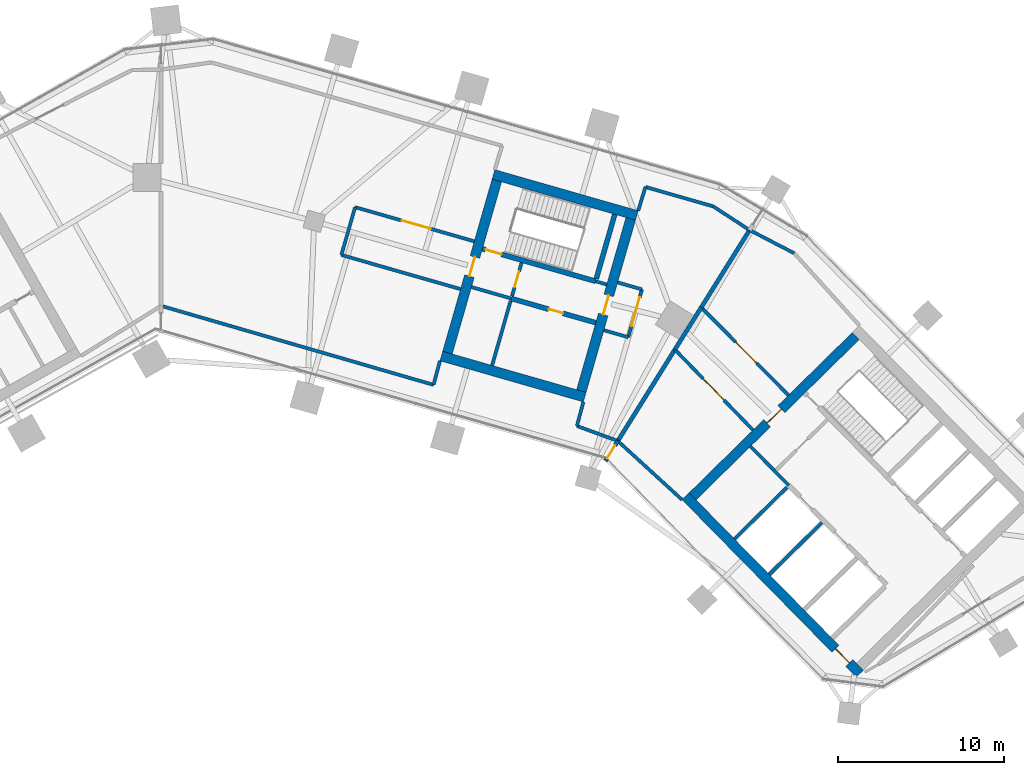
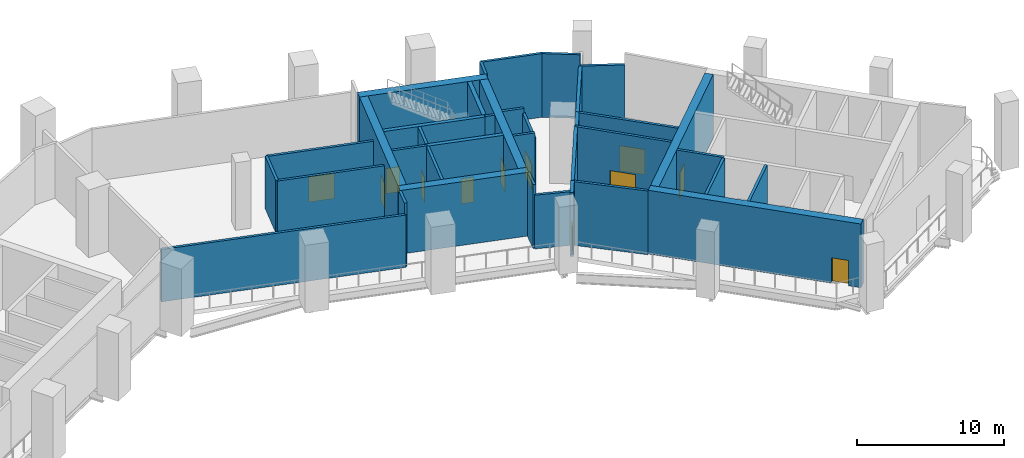
# One storey, part 6 of 11: 37 walls, 12 doors, 12 openings.
"""IFC4 building model written with IfcOpenShell, lengths in metres."""

from ifc_helpers import new_model, si_unit, direction, frame, frame_2d, origin, place, context, subcontext, project, spatial, rectangle, extrude, material, layer, layer_set, type_object, element, fill, save


model = new_model("IFC4")

# Units and contexts
model_context = context("Model", 3, precision=1e-05, world=origin(), true_north=direction((0.0, 1.0)))
body_context = subcontext(model_context, "Body", "Model", "MODEL_VIEW")
ifc_project = project(units=[si_unit("LENGTHUNIT", "METRE"), si_unit("AREAUNIT", "SQUARE_METRE"), si_unit("VOLUMEUNIT", "CUBIC_METRE"), si_unit("PLANEANGLEUNIT", "RADIAN"), si_unit("MASSUNIT", "GRAM", prefix="KILO")], contexts=[model_context])

# Site, building, storey
site_placement = place(None, origin())
site = spatial("IfcSite", under=ifc_project, at=site_placement, CompositionType="ELEMENT")
building_placement = place(site_placement, origin())
building = spatial("IfcBuilding", under=site, at=building_placement, Name="Binnacle Exchange Tower", CompositionType="ELEMENT")
storey_placement = place(building_placement, frame((0.0, 0.0, 91.5)))
storey = spatial("IfcBuildingStorey", under=building, at=storey_placement, Name="L18", CompositionType="ELEMENT", Elevation=91.5)

# Wall, opening, door
ifc_material_1 = material(Name="Concrete C70/85", Category="concrete")
ifc_layer_1 = layer(ifc_material_1, 0.300048828125)
ifc_layer_set_1 = layer_set([ifc_layer_1], Name="Core wall - front 300")
wall_type_1 = type_object("IfcWallType", Name="Core wall - front 300", PredefinedType="SOLIDWALL", material=ifc_layer_set_1)
wall_1_placement = place(storey_placement, frame((21.130859375, 52.6923828125, 0.0), z_axis=(0.0, 0.0, 1.0), x_axis=(0.961271492568, -0.275603188616, 0.0)))
wall_1 = element("IfcWall", 1, at=wall_1_placement, inside=storey, type_object=wall_type_1, Name="Core wall CRWD3", PredefinedType="SOLIDWALL", context=body_context, shape_type="SweptSolid", body=[
    extrude(rectangle(XDim=5.300048828125, YDim=0.300048828125, at=frame_2d((2.64990234375, 0.0))), origin(), (0.0, 0.0, 1.0), 5.280029296875),
])
opening_1_placement = place(wall_1_placement, frame((2.35009765625, 0.0, 0.0)))
opening_1 = element("IfcOpeningElement", 2, at=opening_1_placement, cuts=wall_1, Name="Opening DD10", PredefinedType="OPENING", context=body_context, shape_type="SweptSolid", body=[
    extrude(rectangle(XDim=0.89990234375, YDim=2.10009765625, at=frame_2d((0.449951171875, 1.050048828125))), frame((0.0, 0.159912109375, 0.0), z_axis=(0.0, -1.0, 0.0), x_axis=(1.0, 0.0, 0.0)), (0.0, 0.0, 1.0), 0.320068359375),
])
ifc_material_2 = material(Name="Steel door leaf", Category="steel")
door_type_1 = type_object("IfcDoorType", Name="Fire door 900", OperationType="NOTDEFINED", PredefinedType="DOOR", material=ifc_material_2)
door_1_placement = place(opening_1_placement, frame((0.89990234375, 0.0, 0.0), z_axis=(0.0, 0.0, 1.0), x_axis=(-1.0, 0.0, 0.0)))
door_1 = element("IfcDoor", 3, at=door_1_placement, inside=storey, type_object=door_type_1, Name="Core room door TELECOM RISER ROOM", OperationType="SINGLE_SWING_LEFT", OverallHeight=2.10009765625, OverallWidth=0.89990234375, PredefinedType="DOOR", context=body_context, shape_type="SweptSolid", body=[
    extrude(rectangle(XDim=0.89990234375, YDim=2.10009765625, at=frame_2d((0.449951171875, 1.050048828125))), frame((0.0, 0.02490234375, 0.0), z_axis=(0.0, -1.0, 0.0), x_axis=(1.0, 0.0, 0.0)), (0.0, 0.0, 1.0), 0.050048828125),
])
fill(opening_1, door_1)

ifc_layer_2 = layer(ifc_material_1, 0.60009765625)
ifc_layer_set_2 = layer_set([ifc_layer_2], Name="Core wall - outer 600")
wall_type_2 = type_object("IfcWallType", Name="Core wall - outer 600", PredefinedType="SOLIDWALL", material=ifc_layer_set_2)
wall_2_placement = place(storey_placement, frame((31.6455078125, 40.7626953125, 0.0), z_axis=(0.0, 0.0, 1.0), x_axis=(0.700911255944, -0.713248491965, 0.0)))
wall_2 = element("IfcWall", 4, at=wall_2_placement, inside=storey, type_object=wall_type_2, Name="Core wall CRWB1", PredefinedType="SOLIDWALL", context=body_context, shape_type="SweptSolid", body=[
    extrude(rectangle(XDim=15.0, YDim=0.60009765625, at=frame_2d((7.5, 0.0))), origin(), (0.0, 0.0, 1.0), 5.280029296875),
])
opening_2_placement = place(wall_2_placement, frame((12.89990234375, 0.0, 0.0)))
opening_2 = element("IfcOpeningElement", 5, at=opening_2_placement, cuts=wall_2, Name="Opening DB7", PredefinedType="OPENING", context=body_context, shape_type="SweptSolid", body=[
    extrude(rectangle(XDim=1.199951171875, YDim=2.10009765625, at=frame_2d((0.60009765625, 1.050048828125))), frame((0.0, 0.31005859375, 0.0), z_axis=(0.0, -1.0, 0.0), x_axis=(1.0, 0.0, 0.0)), (0.0, 0.0, 1.0), 0.6201171875),
])
door_type_2 = type_object("IfcDoorType", Name="Fire door 1200", OperationType="NOTDEFINED", PredefinedType="DOOR", material=ifc_material_2)
door_2_placement = place(opening_2_placement, frame((1.199951171875, 0.0, 0.0), z_axis=(0.0, 0.0, 1.0), x_axis=(-1.0, 0.0, 0.0)))
door_2 = element("IfcDoor", 6, at=door_2_placement, inside=storey, type_object=door_type_2, Name="Lift lobby entrance door core B", OperationType="SINGLE_SWING_LEFT", OverallHeight=2.10009765625, OverallWidth=1.199951171875, PredefinedType="DOOR", context=body_context, shape_type="SweptSolid", body=[
    extrude(rectangle(XDim=1.199951171875, YDim=2.10009765625, at=frame_2d((0.60009765625, 1.050048828125))), frame((0.0, 0.02490234375, 0.0), z_axis=(0.0, -1.0, 0.0), x_axis=(1.0, 0.0, 0.0)), (0.0, 0.0, 1.0), 0.050048828125),
])
fill(opening_2, door_2)

wall_3_placement = place(storey_placement, frame((32.06982421875, 40.759033203125, 0.0), z_axis=(0.0, 0.0, 1.0), x_axis=(0.713245344712, 0.70091445858, 0.0)))
wall_3 = element("IfcWall", 7, at=wall_3_placement, inside=storey, type_object=wall_type_2, Name="Core wall CRWB7", PredefinedType="SOLIDWALL", context=body_context, shape_type="SweptSolid", body=[
    extrude(rectangle(XDim=13.800048828125, YDim=0.60009765625, at=frame_2d((6.89990234375, 0.0))), origin(), (0.0, 0.0, 1.0), 5.280029296875),
])
opening_3_placement = place(wall_3_placement, frame((6.300048828125, 0.0, 0.0)))
opening_3 = element("IfcOpeningElement", 8, at=opening_3_placement, cuts=wall_3, Name="Opening DB5", PredefinedType="OPENING", context=body_context, shape_type="SweptSolid", body=[
    extrude(rectangle(XDim=1.199951171875, YDim=2.10009765625, at=frame_2d((0.60009765625, 1.050048828125))), frame((0.0, 0.31005859375, 0.0), z_axis=(0.0, -1.0, 0.0), x_axis=(1.0, 0.0, 0.0)), (0.0, 0.0, 1.0), 0.6201171875),
])
door_3_placement = place(opening_3_placement, origin())
door_3 = element("IfcDoor", 9, at=door_3_placement, inside=storey, type_object=door_type_2, Name="Vestibule exit door VEST-W", OperationType="SINGLE_SWING_RIGHT", OverallHeight=2.10009765625, OverallWidth=1.199951171875, PredefinedType="DOOR", context=body_context, shape_type="SweptSolid", body=[
    extrude(rectangle(XDim=1.199951171875, YDim=2.10009765625, at=frame_2d((0.60009765625, 1.050048828125))), frame((0.0, 0.02490234375, 0.0), z_axis=(0.0, -1.0, 0.0), x_axis=(1.0, 0.0, 0.0)), (0.0, 0.0, 1.0), 0.050048828125),
])
fill(opening_3, door_3)

# Walls
for number, where, z_axis, x_axis, name in (
    (10, (16.91064453125, 49.22119140625, 0.0), (0.0, 0.0, 1.0), (0.96126248289, -0.275634611374, 0.0), "Core wall CRWD1"),
    (11, (20.052734375, 60.1796875, 0.0), (0.0, 0.0, 1.0), (0.96126248289, -0.275634611374, 0.0), "Core wall CRWD6"),
):
    element("IfcWall", number, at=place(storey_placement, frame(where, z_axis=z_axis, x_axis=x_axis)), inside=storey, type_object=wall_type_2, Name=name, PredefinedType="SOLIDWALL", context=body_context, shape_type="SweptSolid", body=[
        extrude(rectangle(XDim=9.0, YDim=0.60009765625, at=frame_2d((4.5, 0.0))), origin(), (0.0, 0.0, 1.0), 5.280029296875),
    ])

# Wall, opening, door
wall_4_placement = place(storey_placement, frame((17.28173828125, 49.427001953125, 0.0), z_axis=(0.0, 0.0, 1.0), x_axis=(0.275631631629, 0.961263337304, 0.0)))
wall_4 = element("IfcWall", 12, at=wall_4_placement, inside=storey, type_object=wall_type_2, Name="Core wall CRWD7", PredefinedType="SOLIDWALL", context=body_context, shape_type="SweptSolid", body=[
    extrude(rectangle(XDim=10.800048828125, YDim=0.60009765625, at=frame_2d((5.39990234375, 0.0))), origin(), (0.0, 0.0, 1.0), 5.280029296875),
])
opening_4_placement = place(wall_4_placement, frame((4.800048828125, 0.0, 0.0)))
opening_4 = element("IfcOpeningElement", 13, at=opening_4_placement, cuts=wall_4, Name="Opening DD5", PredefinedType="OPENING", context=body_context, shape_type="SweptSolid", body=[
    extrude(rectangle(XDim=1.199951171875, YDim=2.10009765625, at=frame_2d((0.60009765625, 1.050048828125))), frame((0.0, 0.31005859375, 0.0), z_axis=(0.0, -1.0, 0.0), x_axis=(1.0, 0.0, 0.0)), (0.0, 0.0, 1.0), 0.6201171875),
])
door_4_placement = place(opening_4_placement, origin())
door_4 = element("IfcDoor", 14, at=door_4_placement, inside=storey, type_object=door_type_2, Name="Vestibule exit door VEST-W", OperationType="SINGLE_SWING_RIGHT", OverallHeight=2.10009765625, OverallWidth=1.199951171875, PredefinedType="DOOR", context=body_context, shape_type="SweptSolid", body=[
    extrude(rectangle(XDim=1.199951171875, YDim=2.10009765625, at=frame_2d((0.60009765625, 1.050048828125))), frame((0.0, 0.02490234375, 0.0), z_axis=(0.0, -1.0, 0.0), x_axis=(1.0, 0.0, 0.0)), (0.0, 0.0, 1.0), 0.050048828125),
])
fill(opening_4, door_4)

wall_5_placement = place(storey_placement, frame((25.356201171875, 47.111572265625, 0.0), z_axis=(0.0, 0.0, 1.0), x_axis=(0.275631631629, 0.961263337304, 0.0)))
wall_5 = element("IfcWall", 15, at=wall_5_placement, inside=storey, type_object=wall_type_2, Name="Core wall CRWD12", PredefinedType="SOLIDWALL", context=body_context, shape_type="SweptSolid", body=[
    extrude(rectangle(XDim=10.800048828125, YDim=0.60009765625, at=frame_2d((5.39990234375, 0.0))), origin(), (0.0, 0.0, 1.0), 5.280029296875),
])
opening_5_placement = place(wall_5_placement, frame((4.800048828125, 0.0, 0.0)))
opening_5 = element("IfcOpeningElement", 16, at=opening_5_placement, cuts=wall_5, Name="Opening DD6", PredefinedType="OPENING", context=body_context, shape_type="SweptSolid", body=[
    extrude(rectangle(XDim=1.199951171875, YDim=2.10009765625, at=frame_2d((0.60009765625, 1.050048828125))), frame((0.0, 0.31005859375, 0.0), z_axis=(0.0, -1.0, 0.0), x_axis=(1.0, 0.0, 0.0)), (0.0, 0.0, 1.0), 0.6201171875),
])
door_5_placement = place(opening_5_placement, frame((1.199951171875, 0.0, 0.0), z_axis=(0.0, 0.0, 1.0), x_axis=(-1.0, 0.0, 0.0)))
door_5 = element("IfcDoor", 17, at=door_5_placement, inside=storey, type_object=door_type_2, Name="Core passage exit door", OperationType="SINGLE_SWING_LEFT", OverallHeight=2.10009765625, OverallWidth=1.199951171875, PredefinedType="DOOR", context=body_context, shape_type="SweptSolid", body=[
    extrude(rectangle(XDim=1.199951171875, YDim=2.10009765625, at=frame_2d((0.60009765625, 1.050048828125))), frame((0.0, 0.02490234375, 0.0), z_axis=(0.0, -1.0, 0.0), x_axis=(1.0, 0.0, 0.0)), (0.0, 0.0, 1.0), 0.050048828125),
])
fill(opening_5, door_5)

ifc_layer_3 = layer(ifc_material_1, 0.300048828125)
ifc_layer_set_3 = layer_set([ifc_layer_3], Name="Core wall - stair 300")
wall_type_3 = type_object("IfcWallType", Name="Core wall - stair 300", PredefinedType="SOLIDWALL", material=ifc_layer_set_3)
wall_6_placement = place(storey_placement, frame((19.38916015625, 55.688720703125, 0.0), z_axis=(0.0, 0.0, 1.0), x_axis=(0.961261397636, -0.275638396117, 0.0)))
wall_6 = element("IfcWall", 18, at=wall_6_placement, inside=storey, type_object=wall_type_3, Name="Core wall CRWD4", PredefinedType="SOLIDWALL", context=body_context, shape_type="SweptSolid", body=[
    extrude(rectangle(XDim=7.10009765625, YDim=0.300048828125, at=frame_2d((3.550048828125, 0.0))), origin(), (0.0, 0.0, 1.0), 5.280029296875),
])
opening_6_placement = place(wall_6_placement, frame((0.199951171875, 0.0, 0.0)))
opening_6 = element("IfcOpeningElement", 19, at=opening_6_placement, cuts=wall_6, Name="Opening DD1", PredefinedType="OPENING", context=body_context, shape_type="SweptSolid", body=[
    extrude(rectangle(XDim=1.0, YDim=2.10009765625, at=frame_2d((0.5, 1.050048828125))), frame((0.0, 0.159912109375, 0.0), z_axis=(0.0, -1.0, 0.0), x_axis=(1.0, 0.0, 0.0)), (0.0, 0.0, 1.0), 0.320068359375),
])
door_type_3 = type_object("IfcDoorType", Name="Fire door 1000", OperationType="NOTDEFINED", PredefinedType="DOOR", material=ifc_material_2)
door_6_placement = place(opening_6_placement, origin())
door_6 = element("IfcDoor", 20, at=door_6_placement, inside=storey, type_object=door_type_3, Name="Stair door ST-D1", OperationType="SINGLE_SWING_LEFT", OverallHeight=2.10009765625, OverallWidth=1.0, PredefinedType="DOOR", context=body_context, shape_type="SweptSolid", body=[
    extrude(rectangle(XDim=1.0, YDim=2.10009765625, at=frame_2d((0.5, 1.050048828125))), frame((0.0, 0.02490234375, 0.0), z_axis=(0.0, -1.0, 0.0), x_axis=(1.0, 0.0, 0.0)), (0.0, 0.0, 1.0), 0.050048828125),
])
fill(opening_6, door_6)

# Walls
wall_7_placement = place(storey_placement, frame((26.255615234375, 53.875732421875, 0.0), z_axis=(0.0, 0.0, 1.0), x_axis=(0.275612739511, 0.961268754209, 0.0)))
element("IfcWall", 21, at=wall_7_placement, inside=storey, type_object=wall_type_3, Name="Core wall CRWD11", PredefinedType="SOLIDWALL", context=body_context, shape_type="SweptSolid", body=[
    extrude(rectangle(XDim=4.0498046875, YDim=0.300048828125, at=frame_2d((2.02490234375, 0.0))), origin(), (0.0, 0.0, 1.0), 5.280029296875),
])
ifc_material_3 = material(Name="Masonry block wall", Category="masonry")
ifc_layer_4 = layer(ifc_material_3, 0.199951171875)
ifc_layer_set_4 = layer_set([ifc_layer_4], Name="Fire wall - block 200")
wall_type_4 = type_object("IfcWallType", Name="Fire wall - block 200", PredefinedType="PARTITIONING", material=ifc_layer_set_4)
wall_8_placement = place(storey_placement, frame((0.0, 52.25, 0.0), z_axis=(0.0, 0.0, 1.0), x_axis=(0.960438830998, -0.278491026628, 0.0)))
element("IfcWall", 22, at=wall_8_placement, inside=storey, type_object=wall_type_4, Name="Partition W25", PredefinedType="PARTITIONING", context=body_context, shape_type="SweptSolid", body=[
    extrude(rectangle(XDim=17.114013671875, YDim=0.199951171875, at=frame_2d((8.55712890625, 0.0))), origin(), (0.0, 0.0, 1.0), 4.342041015625),
])
wall_9_placement = place(storey_placement, frame((10.881103515625, 55.319091796875, 0.0), z_axis=(0.0, 0.0, 1.0), x_axis=(0.275634611374, 0.96126248289, 0.0)))
element("IfcWall", 23, at=wall_9_placement, inside=storey, type_object=wall_type_4, Name="Partition W30", PredefinedType="PARTITIONING", context=body_context, shape_type="SweptSolid", body=[
    extrude(rectangle(XDim=3.0, YDim=0.199951171875, at=frame_2d((1.5, 0.0))), origin(), (0.0, 0.0, 1.0), 4.342041015625),
])
wall_10_placement = place(storey_placement, frame((10.881103515625, 55.319091796875, 0.0), z_axis=(0.0, 0.0, 1.0), x_axis=(0.96128947032, -0.275540476614, 0.0)))
element("IfcWall", 24, at=wall_10_placement, inside=storey, type_object=wall_type_4, Name="Partition W31", PredefinedType="PARTITIONING", context=body_context, shape_type="SweptSolid", body=[
    extrude(rectangle(XDim=7.476318359375, YDim=0.199951171875, at=frame_2d((3.73828125, 0.0))), origin(), (0.0, 0.0, 1.0), 4.342041015625),
])

# Wall, opening, door
wall_11_placement = place(storey_placement, frame((11.7080078125, 58.202880859375, 0.0), z_axis=(0.0, 0.0, 1.0), x_axis=(0.961263518588, -0.275630999402, 0.0)))
wall_11 = element("IfcWall", 25, at=wall_11_placement, inside=storey, type_object=wall_type_4, Name="Partition W32", PredefinedType="PARTITIONING", context=body_context, shape_type="SweptSolid", body=[
    extrude(rectangle(XDim=7.4765625, YDim=0.199951171875, at=frame_2d((3.73828125, 0.0))), origin(), (0.0, 0.0, 1.0), 4.342041015625),
])
opening_7_placement = place(wall_11_placement, frame((2.949951171875, 0.0, 0.0)))
opening_7 = element("IfcOpeningElement", 26, at=opening_7_placement, cuts=wall_11, Name="Opening DL18-08", PredefinedType="OPENING", context=body_context, shape_type="SweptSolid", body=[
    extrude(rectangle(XDim=1.800048828125, YDim=2.10009765625, at=frame_2d((0.89990234375, 1.050048828125))), frame((0.0, 0.10986328125, 0.0), z_axis=(0.0, -1.0, 0.0), x_axis=(1.0, 0.0, 0.0)), (0.0, 0.0, 1.0), 0.219970703125),
])
door_type_4 = type_object("IfcDoorType", Name="Fire door 1800", OperationType="NOTDEFINED", PredefinedType="DOOR", material=ifc_material_2)
door_7_placement = place(opening_7_placement, origin())
door_7 = element("IfcDoor", 27, at=door_7_placement, inside=storey, type_object=door_type_4, Name="Door DL18-08", OperationType="DOUBLE_DOOR_SINGLE_SWING", OverallHeight=2.10009765625, OverallWidth=1.800048828125, PredefinedType="DOOR", context=body_context, shape_type="SweptSolid", body=[
    extrude(rectangle(XDim=1.800048828125, YDim=2.10009765625, at=frame_2d((0.89990234375, 1.050048828125))), frame((0.0, 0.02490234375, 0.0), z_axis=(0.0, -1.0, 0.0), x_axis=(1.0, 0.0, 0.0)), (0.0, 0.0, 1.0), 0.050048828125),
])
fill(opening_7, door_7)

# Walls
wall_12_placement = place(storey_placement, frame((16.43701171875, 47.48388671875, 0.0), z_axis=(0.0, 0.0, 1.0), x_axis=(0.260405090968, 0.965499450335, 0.0)))
element("IfcWall", 28, at=wall_12_placement, inside=storey, type_object=wall_type_4, Name="Partition W33", PredefinedType="PARTITIONING", context=body_context, shape_type="SweptSolid", body=[
    extrude(rectangle(XDim=1.5009765625, YDim=0.199951171875, at=frame_2d((0.75048828125, 0.0))), origin(), (0.0, 0.0, 1.0), 5.280029296875),
])
wall_13_placement = place(storey_placement, frame((25.087890625, 45.00390625, 0.0), z_axis=(0.0, 0.0, 1.0), x_axis=(0.260761429939, 0.965403271517, 0.0)))
element("IfcWall", 29, at=wall_13_placement, inside=storey, type_object=wall_type_4, Name="Partition W35", PredefinedType="PARTITIONING", context=body_context, shape_type="SweptSolid", body=[
    extrude(rectangle(XDim=1.5, YDim=0.199951171875, at=frame_2d((0.75, 0.0))), origin(), (0.0, 0.0, 1.0), 5.280029296875),
])
wall_14_placement = place(storey_placement, frame((25.087890625, 45.00390625, 0.0), z_axis=(0.0, 0.0, 1.0), x_axis=(0.93889532653, -0.344202797519, 0.0)))
element("IfcWall", 30, at=wall_14_placement, inside=storey, type_object=wall_type_4, Name="Partition W36", PredefinedType="PARTITIONING", context=body_context, shape_type="SweptSolid", body=[
    extrude(rectangle(XDim=2.628662109375, YDim=0.199951171875, at=frame_2d((1.314453125, 0.0))), origin(), (0.0, 0.0, 1.0), 4.451904296875),
])
wall_15_placement = place(storey_placement, frame((26.719970703125, 50.778076171875, 0.0), z_axis=(0.0, 0.0, 1.0), x_axis=(0.961202731862, -0.275842905041, 0.0)))
element("IfcWall", 31, at=wall_15_placement, inside=storey, type_object=wall_type_4, Name="Partition W37", PredefinedType="PARTITIONING", context=body_context, shape_type="SweptSolid", body=[
    extrude(rectangle(XDim=1.523193359375, YDim=0.199951171875, at=frame_2d((0.76171875, 0.0))), origin(), (0.0, 0.0, 1.0), 5.280029296875),
])
wall_16_placement = place(storey_placement, frame((27.547119140625, 53.662109375, 0.0), z_axis=(0.0, 0.0, 1.0), x_axis=(0.961190533403, -0.27588540827, 0.0)))
element("IfcWall", 32, at=wall_16_placement, inside=storey, type_object=wall_type_4, Name="Partition W39", PredefinedType="PARTITIONING", context=body_context, shape_type="SweptSolid", body=[
    extrude(rectangle(XDim=1.52294921875, YDim=0.199951171875, at=frame_2d((0.761474609375, 0.0))), origin(), (0.0, 0.0, 1.0), 5.280029296875),
])
wall_17_placement = place(storey_placement, frame((27.555908203125, 44.09912109375, 0.0), z_axis=(0.0, 0.0, 1.0), x_axis=(0.737709390417, -0.675118400942, 0.0)))
element("IfcWall", 33, at=wall_17_placement, inside=storey, type_object=wall_type_4, Name="Partition W41", PredefinedType="PARTITIONING", context=body_context, shape_type="SweptSolid", body=[
    extrude(rectangle(XDim=5.254150390625, YDim=0.199951171875, at=frame_2d((2.626953125, 0.0))), origin(), (0.0, 0.0, 1.0), 5.280029296875),
])

# Wall, opening, door
wall_18_placement = place(storey_placement, frame((28.18408203125, 50.35791015625, 0.0), z_axis=(0.0, 0.0, 1.0), x_axis=(0.27561305073, 0.961268664977, 0.0)))
wall_18 = element("IfcWall", 34, at=wall_18_placement, inside=storey, type_object=wall_type_4, Name="Partition W42", PredefinedType="PARTITIONING", context=body_context, shape_type="SweptSolid", body=[
    extrude(rectangle(XDim=3.000244140625, YDim=0.199951171875, at=frame_2d((1.5, 0.0))), origin(), (0.0, 0.0, 1.0), 4.860107421875),
])
opening_8_placement = place(wall_18_placement, frame((0.699951171875, 0.0, 0.0)))
opening_8 = element("IfcOpeningElement", 35, at=opening_8_placement, cuts=wall_18, Name="Opening DL18-09", PredefinedType="OPENING", context=body_context, shape_type="SweptSolid", body=[
    extrude(rectangle(XDim=1.800048828125, YDim=2.10009765625, at=frame_2d((0.89990234375, 1.050048828125))), frame((0.0, 0.10986328125, 0.0), z_axis=(0.0, -1.0, 0.0), x_axis=(1.0, 0.0, 0.0)), (0.0, 0.0, 1.0), 0.219970703125),
])
door_8_placement = place(opening_8_placement, frame((1.800048828125, 0.0, 0.0), z_axis=(0.0, 0.0, 1.0), x_axis=(-1.0, 0.0, 0.0)))
door_8 = element("IfcDoor", 36, at=door_8_placement, inside=storey, type_object=door_type_4, Name="Door DL18-09", OperationType="DOUBLE_DOOR_SINGLE_SWING", OverallHeight=2.10009765625, OverallWidth=1.800048828125, PredefinedType="DOOR", context=body_context, shape_type="SweptSolid", body=[
    extrude(rectangle(XDim=1.800048828125, YDim=2.10009765625, at=frame_2d((0.89990234375, 1.050048828125))), frame((0.0, 0.02490234375, 0.0), z_axis=(0.0, -1.0, 0.0), x_axis=(1.0, 0.0, 0.0)), (0.0, 0.0, 1.0), 0.050048828125),
])
fill(opening_8, door_8)

# Walls
wall_19_placement = place(storey_placement, frame((28.787109375, 57.987060546875, 0.0), z_axis=(0.0, 0.0, 1.0), x_axis=(0.290391164202, 0.9569080268, 0.0)))
element("IfcWall", 37, at=wall_19_placement, inside=storey, type_object=wall_type_4, Name="Partition W43", PredefinedType="PARTITIONING", context=body_context, shape_type="SweptSolid", body=[
    extrude(rectangle(XDim=1.500732421875, YDim=0.199951171875, at=frame_2d((0.75048828125, 0.0))), origin(), (0.0, 0.0, 1.0), 5.280029296875),
])
wall_20_placement = place(storey_placement, frame((29.222900390625, 59.423095703125, 0.0), z_axis=(0.0, 0.0, 1.0), x_axis=(0.961217704803, -0.27579072496, 0.0)))
element("IfcWall", 38, at=wall_20_placement, inside=storey, type_object=wall_type_4, Name="Partition W44", PredefinedType="PARTITIONING", context=body_context, shape_type="SweptSolid", body=[
    extrude(rectangle(XDim=4.25, YDim=0.199951171875, at=frame_2d((2.125, 0.0))), origin(), (0.0, 0.0, 1.0), 5.280029296875),
])

# Wall, opening, door
wall_21_placement = place(storey_placement, frame((31.0, 49.611083984375, 0.0), z_axis=(0.0, 0.0, 1.0), x_axis=(0.696524576566, -0.717532935996, 0.0)))
wall_21 = element("IfcWall", 39, at=wall_21_placement, inside=storey, type_object=wall_type_4, Name="Partition W46", PredefinedType="PARTITIONING", context=body_context, shape_type="SweptSolid", body=[
    extrude(rectangle(XDim=6.763427734375, YDim=0.199951171875, at=frame_2d((3.3818359375, 0.0))), origin(), (0.0, 0.0, 1.0), 5.280029296875),
])
opening_9_placement = place(wall_21_placement, frame((2.449951171875, 0.0, 0.0)))
opening_9 = element("IfcOpeningElement", 40, at=opening_9_placement, cuts=wall_21, Name="Opening DL18-11", PredefinedType="OPENING", context=body_context, shape_type="SweptSolid", body=[
    extrude(rectangle(XDim=1.800048828125, YDim=2.10009765625, at=frame_2d((0.89990234375, 1.050048828125))), frame((0.0, 0.10986328125, 0.0), z_axis=(0.0, -1.0, 0.0), x_axis=(1.0, 0.0, 0.0)), (0.0, 0.0, 1.0), 0.219970703125),
])
door_9_placement = place(opening_9_placement, frame((1.800048828125, 0.0, 0.0), z_axis=(0.0, 0.0, 1.0), x_axis=(-1.0, 0.0, 0.0)))
door_9 = element("IfcDoor", 41, at=door_9_placement, inside=storey, type_object=door_type_4, Name="Door DL18-11", OperationType="DOUBLE_DOOR_SINGLE_SWING", OverallHeight=2.10009765625, OverallWidth=1.800048828125, PredefinedType="DOOR", context=body_context, shape_type="SweptSolid", body=[
    extrude(rectangle(XDim=1.800048828125, YDim=2.10009765625, at=frame_2d((0.89990234375, 1.050048828125))), frame((0.0, 0.02490234375, 0.0), z_axis=(0.0, -1.0, 0.0), x_axis=(1.0, 0.0, 0.0)), (0.0, 0.0, 1.0), 0.050048828125),
])
fill(opening_9, door_9)

wall_22_placement = place(storey_placement, frame((32.590087890625, 52.155029296875, 0.0), z_axis=(0.0, 0.0, 1.0), x_axis=(0.704895322568, -0.709311345054, 0.0)))
wall_22 = element("IfcWall", 42, at=wall_22_placement, inside=storey, type_object=wall_type_4, Name="Partition W48", PredefinedType="PARTITIONING", context=body_context, shape_type="SweptSolid", body=[
    extrude(rectangle(XDim=7.46337890625, YDim=0.199951171875, at=frame_2d((3.731689453125, 0.0))), origin(), (0.0, 0.0, 1.0), 4.342041015625),
])
opening_10_placement = place(wall_22_placement, frame((2.949951171875, 0.0, 0.0)))
opening_10 = element("IfcOpeningElement", 43, at=opening_10_placement, cuts=wall_22, Name="Opening DL18-10", PredefinedType="OPENING", context=body_context, shape_type="SweptSolid", body=[
    extrude(rectangle(XDim=1.800048828125, YDim=2.10009765625, at=frame_2d((0.89990234375, 1.050048828125))), frame((0.0, 0.10986328125, 0.0), z_axis=(0.0, -1.0, 0.0), x_axis=(1.0, 0.0, 0.0)), (0.0, 0.0, 1.0), 0.219970703125),
])
door_10_placement = place(opening_10_placement, origin())
door_10 = element("IfcDoor", 44, at=door_10_placement, inside=storey, type_object=door_type_4, Name="Door DL18-10", OperationType="DOUBLE_DOOR_SINGLE_SWING", OverallHeight=2.10009765625, OverallWidth=1.800048828125, PredefinedType="DOOR", context=body_context, shape_type="SweptSolid", body=[
    extrude(rectangle(XDim=1.800048828125, YDim=2.10009765625, at=frame_2d((0.89990234375, 1.050048828125))), frame((0.0, 0.02490234375, 0.0), z_axis=(0.0, -1.0, 0.0), x_axis=(1.0, 0.0, 0.0)), (0.0, 0.0, 1.0), 0.050048828125),
])
fill(opening_10, door_10)

# Walls
wall_23_placement = place(storey_placement, frame((33.30810546875, 58.2509765625, 0.0), z_axis=(0.0, 0.0, 1.0), x_axis=(0.837749484824, -0.546054759779, 0.0)))
element("IfcWall", 45, at=wall_23_placement, inside=storey, type_object=wall_type_4, Name="Partition W49", PredefinedType="PARTITIONING", context=body_context, shape_type="SweptSolid", body=[
    extrude(rectangle(XDim=2.622314453125, YDim=0.199951171875, at=frame_2d((1.31103515625, 0.0))), origin(), (0.0, 0.0, 1.0), 5.280029296875),
])
wall_24_placement = place(storey_placement, frame((35.5048828125, 56.819091796875, 0.0), z_axis=(0.0, 0.0, 1.0), x_axis=(0.887881146957, -0.460072895179, 0.0)))
element("IfcWall", 46, at=wall_24_placement, inside=storey, type_object=wall_type_4, Name="Partition W51", PredefinedType="PARTITIONING", context=body_context, shape_type="SweptSolid", body=[
    extrude(rectangle(XDim=3.0341796875, YDim=0.199951171875, at=frame_2d((1.51708984375, 0.0))), origin(), (0.0, 0.0, 1.0), 4.342041015625),
])

# Wall, opening, door
ifc_material_4 = material(Name="Concrete fire wall C30/37", Category="concrete")
ifc_layer_5 = layer(ifc_material_4, 0.25)
ifc_layer_set_5 = layer_set([ifc_layer_5], Name="Fire wall - compartment 250")
wall_type_5 = type_object("IfcWallType", Name="Fire wall - compartment 250", PredefinedType="PARTITIONING", material=ifc_layer_set_5)
wall_25_placement = place(storey_placement, frame((26.799072265625, 42.886962890625, 0.0), z_axis=(0.0, 0.0, 1.0), x_axis=(0.529614967624, 0.848238165888, 0.0)))
wall_25 = element("IfcWall", 47, at=wall_25_placement, inside=storey, type_object=wall_type_5, Name="Fire Wall W38", PredefinedType="PARTITIONING", context=body_context, shape_type="SweptSolid", body=[
    extrude(rectangle(XDim=1.428955078125, YDim=0.25, at=frame_2d((0.71435546875, 0.0))), origin(), (0.0, 0.0, 1.0), 5.280029296875),
])
opening_11_placement = place(wall_25_placement, frame((0.199951171875, 0.0, 0.0)))
opening_11 = element("IfcOpeningElement", 48, at=opening_11_placement, cuts=wall_25, Name="Opening DL18-15", PredefinedType="OPENING", context=body_context, shape_type="SweptSolid", body=[
    extrude(rectangle(XDim=0.89990234375, YDim=2.10009765625, at=frame_2d((0.449951171875, 1.050048828125))), frame((0.0, 0.135009765625, 0.0), z_axis=(0.0, -1.0, 0.0), x_axis=(1.0, 0.0, 0.0)), (0.0, 0.0, 1.0), 0.27001953125),
])
door_11_placement = place(opening_11_placement, origin())
door_11 = element("IfcDoor", 49, at=door_11_placement, inside=storey, type_object=door_type_1, Name="Door DL18-15", OperationType="SINGLE_SWING_LEFT", OverallHeight=2.10009765625, OverallWidth=0.89990234375, PredefinedType="DOOR", context=body_context, shape_type="SweptSolid", body=[
    extrude(rectangle(XDim=0.89990234375, YDim=2.10009765625, at=frame_2d((0.449951171875, 1.050048828125))), frame((0.0, 0.02490234375, 0.0), z_axis=(0.0, -1.0, 0.0), x_axis=(1.0, 0.0, 0.0)), (0.0, 0.0, 1.0), 0.050048828125),
])
fill(opening_11, door_11)

# Walls
wall_26_placement = place(storey_placement, frame((27.555908203125, 44.09912109375, 0.0), z_axis=(0.0, 0.0, 1.0), x_axis=(0.529901019477, 0.848059496472, 0.0)))
element("IfcWall", 50, at=wall_26_placement, inside=storey, type_object=wall_type_5, Name="Fire Wall W40", PredefinedType="PARTITIONING", context=body_context, shape_type="SweptSolid", body=[
    extrude(rectangle(XDim=6.49951171875, YDim=0.25, at=frame_2d((3.249755859375, 0.0))), origin(), (0.0, 0.0, 1.0), 5.280029296875),
])
wall_27_placement = place(storey_placement, frame((31.0, 49.611083984375, 0.0), z_axis=(0.0, 0.0, 1.0), x_axis=(0.530028199927, 0.847980015851, 0.0)))
element("IfcWall", 51, at=wall_27_placement, inside=storey, type_object=wall_type_5, Name="Fire Wall W45", PredefinedType="PARTITIONING", context=body_context, shape_type="SweptSolid", body=[
    extrude(rectangle(XDim=3.0, YDim=0.25, at=frame_2d((1.5, 0.0))), origin(), (0.0, 0.0, 1.0), 4.342041015625),
])
wall_28_placement = place(storey_placement, frame((32.590087890625, 52.155029296875, 0.0), z_axis=(0.0, 0.0, 1.0), x_axis=(0.529967019041, 0.848018253771, 0.0)))
element("IfcWall", 52, at=wall_28_placement, inside=storey, type_object=wall_type_5, Name="Fire Wall W47", PredefinedType="PARTITIONING", context=body_context, shape_type="SweptSolid", body=[
    extrude(rectangle(XDim=5.5, YDim=0.25, at=frame_2d((2.75, 0.0))), origin(), (0.0, 0.0, 1.0), 4.342041015625),
])

# Wall, opening, door
ifc_layer_6 = layer(ifc_material_3, 0.199951171875)
ifc_layer_set_6 = layer_set([ifc_layer_6], Name="Fire wall - vestibule 200")
wall_type_6 = type_object("IfcWallType", Name="Fire wall - vestibule 200", PredefinedType="PARTITIONING", material=ifc_layer_set_6)
wall_29_placement = place(storey_placement, frame((21.172119140625, 52.836669921875, 0.0), z_axis=(0.0, 0.0, 1.0), x_axis=(0.275657676022, 0.961255868981, 0.0)))
wall_29 = element("IfcWall", 53, at=wall_29_placement, inside=storey, type_object=wall_type_6, Name="Core wall CRWD9", PredefinedType="PARTITIONING", context=body_context, shape_type="SweptSolid", body=[
    extrude(rectangle(XDim=2.099853515625, YDim=0.199951171875, at=frame_2d((1.0498046875, 0.0))), origin(), (0.0, 0.0, 1.0), 5.280029296875),
])
opening_12_placement = place(wall_29_placement, frame((0.550048828125, 0.0, 0.0)))
opening_12 = element("IfcOpeningElement", 54, at=opening_12_placement, cuts=wall_29, Name="Opening DD3", PredefinedType="OPENING", context=body_context, shape_type="SweptSolid", body=[
    extrude(rectangle(XDim=1.0, YDim=2.10009765625, at=frame_2d((0.5, 1.050048828125))), frame((0.0, 0.10986328125, 0.0), z_axis=(0.0, -1.0, 0.0), x_axis=(1.0, 0.0, 0.0)), (0.0, 0.0, 1.0), 0.219970703125),
])
door_12_placement = place(opening_12_placement, origin())
door_12 = element("IfcDoor", 55, at=door_12_placement, inside=storey, type_object=door_type_3, Name="Vestibule door VEST-W", OperationType="SINGLE_SWING_RIGHT", OverallHeight=2.10009765625, OverallWidth=1.0, PredefinedType="DOOR", context=body_context, shape_type="SweptSolid", body=[
    extrude(rectangle(XDim=1.0, YDim=2.10009765625, at=frame_2d((0.5, 1.050048828125))), frame((0.0, 0.02490234375, 0.0), z_axis=(0.0, -1.0, 0.0), x_axis=(1.0, 0.0, 0.0)), (0.0, 0.0, 1.0), 0.050048828125),
])
fill(opening_12, door_12)

# Walls
ifc_layer_7 = layer(ifc_material_3, 0.199951171875)
ifc_layer_set_7 = layer_set([ifc_layer_7], Name="Riser wall 200")
wall_type_7 = type_object("IfcWallType", Name="Riser wall 200", PredefinedType="SOLIDWALL", material=ifc_layer_set_7)
wall_30_placement = place(storey_placement, frame((35.56103515625, 43.769287109375, 0.0), z_axis=(0.0, 0.0, 1.0), x_axis=(0.70090232736, -0.713257266, 0.0)))
element("IfcWall", 56, at=wall_30_placement, inside=storey, type_object=wall_type_7, Name="Core wall CRWB2", PredefinedType="SOLIDWALL", context=body_context, shape_type="SweptSolid", body=[
    extrude(rectangle(XDim=3.300048828125, YDim=0.199951171875, at=frame_2d((1.64990234375, 0.0))), origin(), (0.0, 0.0, 1.0), 5.280029296875),
])
wall_31_placement = place(storey_placement, frame((34.59326171875, 38.19140625, 0.0), z_axis=(0.0, 0.0, 1.0), x_axis=(0.713252216116, 0.700907466222, 0.0)))
element("IfcWall", 57, at=wall_31_placement, inside=storey, type_object=wall_type_7, Name="Core wall CRWB9", PredefinedType="SOLIDWALL", context=body_context, shape_type="SweptSolid", body=[
    extrude(rectangle(XDim=4.44970703125, YDim=0.199951171875, at=frame_2d((2.224853515625, 0.0))), origin(), (0.0, 0.0, 1.0), 5.280029296875),
])
wall_32_placement = place(storey_placement, frame((18.727783203125, 53.381591796875, 0.0), z_axis=(0.0, 0.0, 1.0), x_axis=(0.961247070632, -0.275688355216, 0.0)))
element("IfcWall", 58, at=wall_32_placement, inside=storey, type_object=wall_type_7, Name="Core wall CRWD2", PredefinedType="SOLIDWALL", context=body_context, shape_type="SweptSolid", body=[
    extrude(rectangle(XDim=2.5, YDim=0.199951171875, at=frame_2d((1.25, 0.0))), origin(), (0.0, 0.0, 1.0), 5.280029296875),
])
wall_33_placement = place(storey_placement, frame((26.214111328125, 53.731689453125, 0.0), z_axis=(0.0, 0.0, 1.0), x_axis=(0.96122076476, -0.27578005982, 0.0)))
element("IfcWall", 59, at=wall_33_placement, inside=storey, type_object=wall_type_7, Name="Core wall CRWD5", PredefinedType="SOLIDWALL", context=body_context, shape_type="SweptSolid", body=[
    extrude(rectangle(XDim=0.7001953125, YDim=0.199951171875, at=frame_2d((0.35009765625, 0.0))), origin(), (0.0, 0.0, 1.0), 5.280029296875),
])
wall_34_placement = place(storey_placement, frame((19.97314453125, 48.6552734375, 0.0), z_axis=(0.0, 0.0, 1.0), x_axis=(0.275668441653, 0.961252781674, 0.0)))
element("IfcWall", 60, at=wall_34_placement, inside=storey, type_object=wall_type_7, Name="Core wall CRWD8", PredefinedType="SOLIDWALL", context=body_context, shape_type="SweptSolid", body=[
    extrude(rectangle(XDim=4.050048828125, YDim=0.199951171875, at=frame_2d((2.02490234375, 0.0))), origin(), (0.0, 0.0, 1.0), 5.280029296875),
])
ifc_layer_8 = layer(ifc_material_3, 0.199951171875)
ifc_layer_set_8 = layer_set([ifc_layer_8], Name="Shaft wall 200")
wall_type_8 = type_object("IfcWallType", Name="Shaft wall 200", PredefinedType="SOLIDWALL", material=ifc_layer_set_8)
wall_35_placement = place(storey_placement, frame((36.69580078125, 36.051513671875, 0.0), z_axis=(0.0, 0.0, 1.0), x_axis=(0.713251741427, 0.700907949271, 0.0)))
element("IfcWall", 61, at=wall_35_placement, inside=storey, type_object=wall_type_8, Name="Core wall CRWB10", PredefinedType="SOLIDWALL", context=body_context, shape_type="SweptSolid", body=[
    extrude(rectangle(XDim=4.4501953125, YDim=0.199951171875, at=frame_2d((2.22509765625, 0.0))), origin(), (0.0, 0.0, 1.0), 5.280029296875),
])

save(model, "model.ifc")
